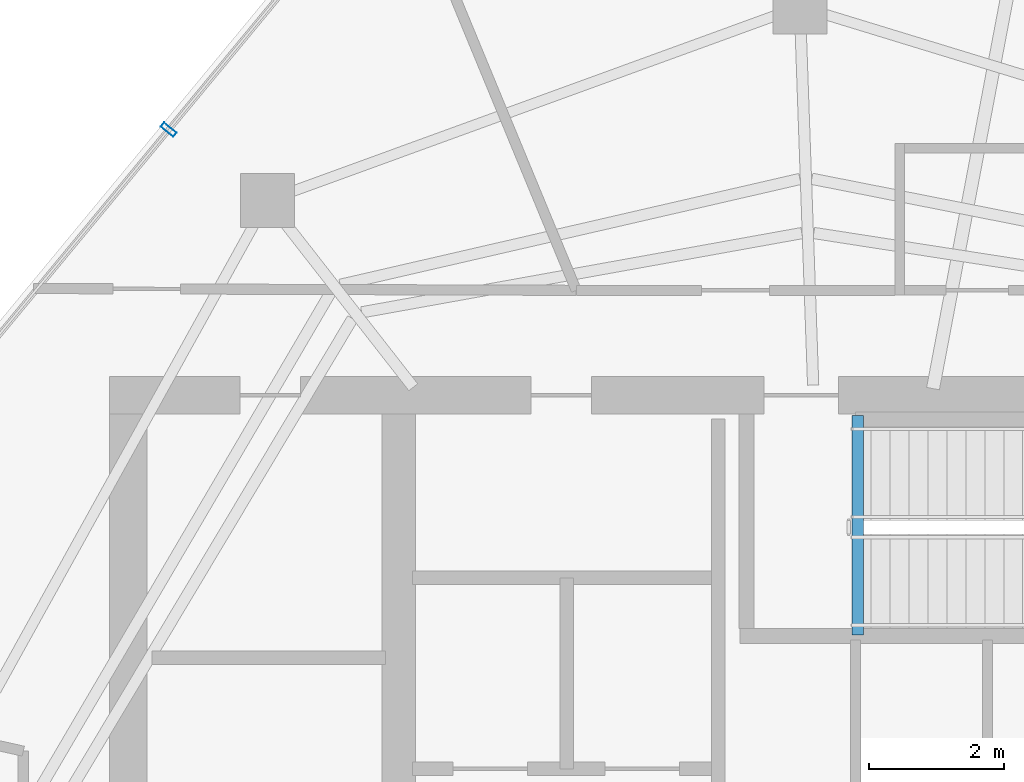
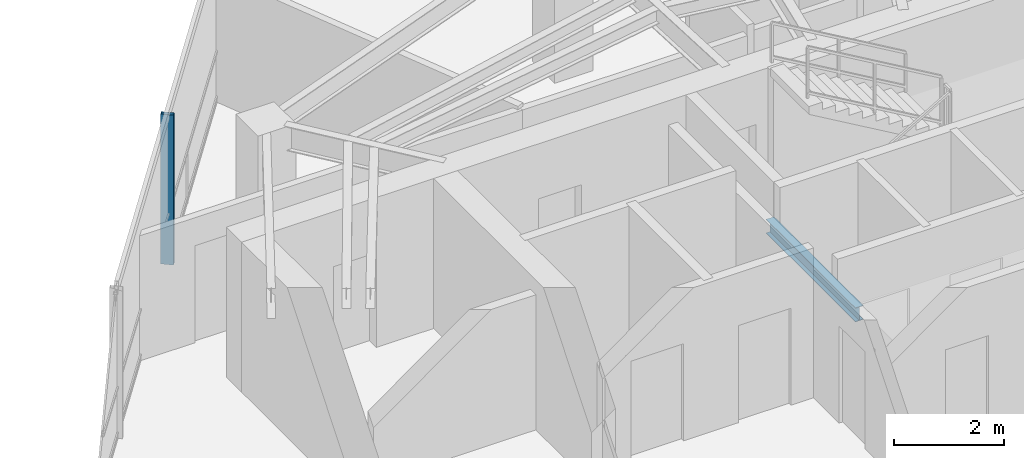
# One storey, part 8 of 19: 1 beam, 1 member, 1 element without a shape of its own.
"""IFC4 building model written with IfcOpenShell, lengths in metres."""

from ifc_helpers import new_model, si_unit, direction, frame, origin, origin_2d, place, context, subcontext, project, spatial, hollow_rectangle, i_section, extrude, material, layer, layer_set, material_profile, profile_set, type_object, element, aggregate, save


model = new_model("IFC4")

# Units and contexts
model_context = context("Model", 3, precision=1e-05, world=origin(), true_north=direction((0.0, 1.0)))
body_context = subcontext(model_context, "Body", "Model", "MODEL_VIEW")
ifc_project = project(units=[si_unit("LENGTHUNIT", "METRE"), si_unit("AREAUNIT", "SQUARE_METRE"), si_unit("VOLUMEUNIT", "CUBIC_METRE"), si_unit("PLANEANGLEUNIT", "RADIAN"), si_unit("MASSUNIT", "GRAM", prefix="KILO")], contexts=[model_context])

# Site, building, storey
site_placement = place(None, origin())
site = spatial("IfcSite", under=ifc_project, at=site_placement, CompositionType="ELEMENT")
building_placement = place(site_placement, origin())
building = spatial("IfcBuilding", under=site, at=building_placement, Name="Qarnah Convention Tower", CompositionType="ELEMENT")
storey_placement = place(building_placement, frame((0.0, 0.0, 257.10009765625)))
storey = spatial("IfcBuildingStorey", under=building, at=storey_placement, Name="L69", CompositionType="ELEMENT", Elevation=257.10009765625)

# Beam
ifc_material_1 = material(Name="Structural steel S355JR", Category="steel")
ifc_material_profile_1 = material_profile(ifc_material_1, i_section(OverallWidth=0.166015625, OverallDepth=0.31201171875, WebThickness=0.007080078125, FlangeThickness=0.010986328125, at=origin_2d()), Name="W310X45")
ifc_profile_set_1 = profile_set([ifc_material_profile_1], Name="Structural steel S355JR")
beam_type = type_object("IfcBeamType", Name="BM-JST-W310", PredefinedType="JOIST", material=ifc_profile_set_1)
beam_placement = place(storey_placement, frame((37.5830078125, 30.659912109375, -0.156005859375), z_axis=(0.0, 1.0, 0.0), x_axis=(-1.0, 0.0, 0.0)))
element("IfcBeam", 1, at=beam_placement, inside=storey, type_object=beam_type, Name="L69 stair landing trimmer beam BM-L69-ST3-TRM", PredefinedType="BEAM", context=body_context, shape_type="SweptSolid", body=[
    extrude(i_section(OverallWidth=0.166015625, OverallDepth=0.31201171875, WebThickness=0.007080078125, FlangeThickness=0.010986328125, at=origin_2d()), origin(), (0.0, 0.0, 1.0), 3.239990234375),
])

# Curtain wall, member
ifc_material_2 = material(Name="Tempered Low-E dark glass", Category="glass")
ifc_layer = layer(ifc_material_2, 0.176025390625)
ifc_layer_set = layer_set([ifc_layer], Name="Tempered Low-E dark glass")
curtain_wall_type = type_object("IfcCurtainWallType", Name="CWS-05", PredefinedType="NOTDEFINED", material=ifc_layer_set)
curtain_wall_placement = place(storey_placement, origin())
curtain_wall = element("IfcCurtainWall", 2, at=curtain_wall_placement, inside=storey, type_object=curtain_wall_type, Name="L69 unitised curtain wall CW-L69-F3", PredefinedType="NOTDEFINED")
ifc_material_3 = material(Name="Black anodised aluminium", Category="aluminium")
ifc_material_profile_2 = material_profile(ifc_material_3, hollow_rectangle(XDim=0.080078125, YDim=0.239990234375, WallThickness=0.0048828125, at=origin_2d()), Name="MUL-80X240")
ifc_profile_set_2 = profile_set([ifc_material_profile_2], Name="Black anodised aluminium")
member_type = type_object("IfcMemberType", Name="MUL-T5", PredefinedType="MULLION", material=ifc_profile_set_2)
member_placement = place(storey_placement, frame((27.397216796875, 38.123779296875, 0.0), z_axis=(0.0, 0.0, 1.0), x_axis=(0.637432488841, 0.770506211636, 0.0)))
member = element("IfcMember", 3, at=member_placement, type_object=member_type, Name="CW-L69-F3 mullion 4", PredefinedType="MULLION", context=body_context, shape_type="SweptSolid", body=[
    extrude(hollow_rectangle(XDim=0.080078125, YDim=0.239990234375, WallThickness=0.0048828125, at=origin_2d()), origin(), (0.0, 0.0, 1.0), 3.31982421875),
])
aggregate(curtain_wall, [member])

save(model, "model.ifc")
